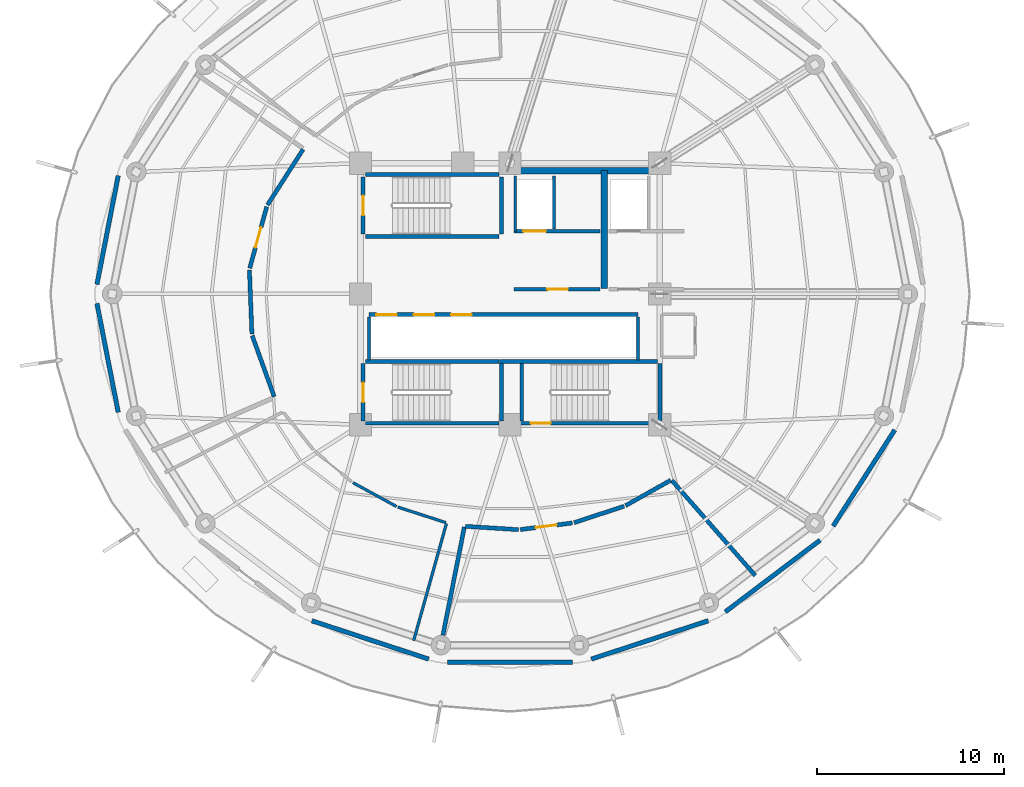
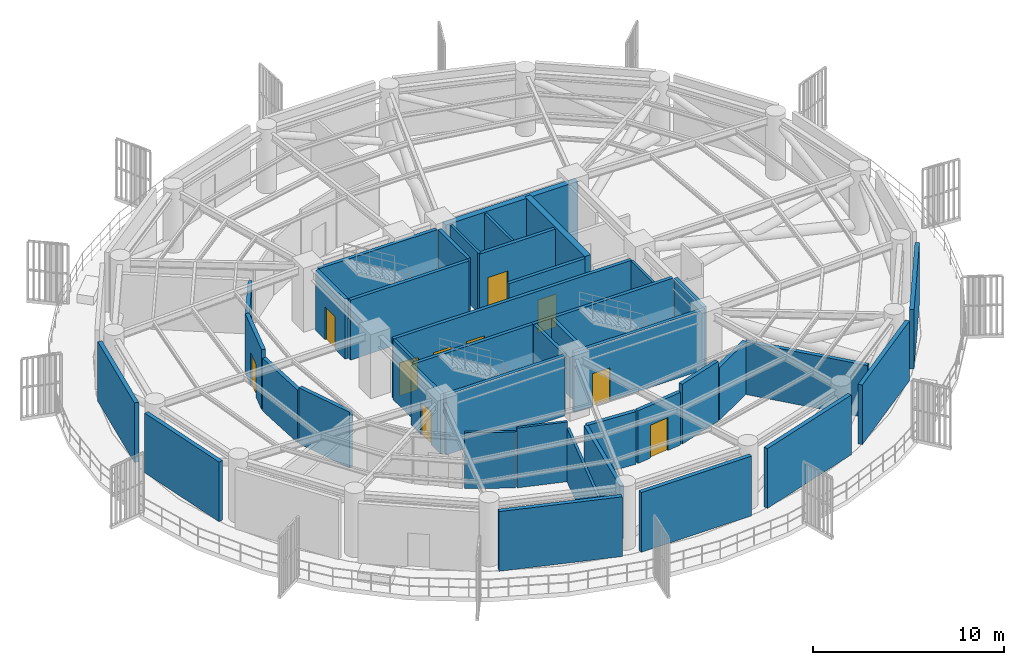
# One storey, part 4 of 10: 41 walls, 10 doors, 10 openings.
"""IFC4 building model written with IfcOpenShell, lengths in metres."""

from ifc_helpers import new_model, si_unit, direction, frame, frame_2d, origin, place, context, subcontext, project, spatial, rectangle, extrude, material, layer, layer_set, type_object, element, fill, save


model = new_model("IFC4")

# Units and contexts
model_context = context("Model", 3, precision=1e-05, world=origin(), true_north=direction((0.0, 1.0)))
body_context = subcontext(model_context, "Body", "Model", "MODEL_VIEW")
ifc_project = project(units=[si_unit("LENGTHUNIT", "METRE"), si_unit("AREAUNIT", "SQUARE_METRE"), si_unit("VOLUMEUNIT", "CUBIC_METRE"), si_unit("PLANEANGLEUNIT", "RADIAN"), si_unit("MASSUNIT", "GRAM", prefix="KILO")], contexts=[model_context])

# Site, building, storey
site_placement = place(None, origin())
site = spatial("IfcSite", under=ifc_project, at=site_placement, CompositionType="ELEMENT")
building_placement = place(site_placement, origin())
building = spatial("IfcBuilding", under=site, at=building_placement, Name="Kelanora Arch Commons", CompositionType="ELEMENT")
storey_placement = place(building_placement, frame((0.0, 0.0, 189.110107421875)))
storey = spatial("IfcBuildingStorey", under=building, at=storey_placement, Name="L48", CompositionType="ELEMENT", Elevation=189.110107421875)

# Walls
ifc_material_1 = material(Name="Autoclaved aerated concrete blockwork with fire plaster", Category="masonry")
ifc_layer_1 = layer(ifc_material_1, 0.14990234375)
ifc_layer_set_1 = layer_set([ifc_layer_1], Name="Autoclaved aerated concrete blockwork with fire plaster")
wall_type_1 = type_object("IfcWallType", Name="W-COMP-150", PredefinedType="PARTITIONING", material=ifc_layer_set_1)
wall_1_placement = place(storey_placement, frame((74.280029296875, 61.35009765625, 0.0), z_axis=(0.0, 0.0, 1.0), x_axis=(0.0, 1.0, 0.0)))
element("IfcWall", 1, at=wall_1_placement, inside=storey, type_object=wall_type_1, Name="Firefighting Lift 1 West Shaft Wall L48", PredefinedType="PARTITIONING", context=body_context, shape_type="SweptSolid", body=[
    extrude(rectangle(XDim=2.969970703125, YDim=0.14990234375, at=frame_2d((1.48486328125, 0.0))), origin(), (0.0, 0.0, 1.0), 3.81982421875),
])
wall_2_placement = place(storey_placement, frame((76.360107421875, 61.47998046875, 0.0), z_axis=(0.0, 0.0, 1.0), x_axis=(0.0, 1.0, 0.0)))
element("IfcWall", 2, at=wall_2_placement, inside=storey, type_object=wall_type_1, Name="Firefighting Lift 1 East Shaft Wall L48", PredefinedType="PARTITIONING", context=body_context, shape_type="SweptSolid", body=[
    extrude(rectangle(XDim=2.840087890625, YDim=0.14990234375, at=frame_2d((1.419921875, 0.0))), origin(), (0.0, 0.0, 1.0), 3.81982421875),
])
for number, where, z_axis, x_axis, name in (
    (3, (66.4599609375, 54.47998046875, 0.0), (0.0, 0.0, 1.0), (0.0, 1.0, 0.0), "South Lift Bank West Wall L48"),
    (4, (80.840087890625, 54.47998046875, 0.0), (0.0, 0.0, 1.0), (0.0, 1.0, 0.0), "South Lift Bank East Wall L48"),
):
    element("IfcWall", number, at=place(storey_placement, frame(where, z_axis=z_axis, x_axis=x_axis)), inside=storey, type_object=wall_type_1, Name=name, PredefinedType="PARTITIONING", context=body_context, shape_type="SweptSolid", body=[
        extrude(rectangle(XDim=2.2900390625, YDim=0.14990234375, at=frame_2d((1.14501953125, 0.0))), origin(), (0.0, 0.0, 1.0), 3.81982421875),
    ])
wall_3_placement = place(storey_placement, frame((65.59814453125, 47.90185546875, 0.0), z_axis=(0.0, 0.0, 1.0), x_axis=(0.877526475728, -0.479528189366, 0.0)))
element("IfcWall", 5, at=wall_3_placement, inside=storey, type_object=wall_type_1, Name="Domestic Booster Pump and Electrical Switchroom L48 Enclosure Partition 3", PredefinedType="PARTITIONING", context=body_context, shape_type="SweptSolid", body=[
    extrude(rectangle(XDim=2.656005859375, YDim=0.14990234375, at=frame_2d((1.328125, 0.0))), origin(), (0.0, 0.0, 1.0), 3.574951171875),
])
wall_4_placement = place(storey_placement, frame((68.002197265625, 46.5966796875, 0.0), z_axis=(0.0, 0.0, 1.0), x_axis=(0.951591716266, -0.307364938686, 0.0)))
element("IfcWall", 6, at=wall_4_placement, inside=storey, type_object=wall_type_1, Name="Domestic Booster Pump and Electrical Switchroom L48 Enclosure Partition 4", PredefinedType="PARTITIONING", context=body_context, shape_type="SweptSolid", body=[
    extrude(rectangle(XDim=2.6982421875, YDim=0.14990234375, at=frame_2d((1.34912109375, 0.0))), origin(), (0.0, 0.0, 1.0), 3.81982421875),
])
wall_5_placement = place(storey_placement, frame((70.59716796875, 45.716552734375, 0.0), z_axis=(0.0, 0.0, 1.0), x_axis=(-0.26947805334, -0.96300653101, 0.0)))
element("IfcWall", 7, at=wall_5_placement, inside=storey, type_object=wall_type_1, Name="Domestic Booster Pump and Electrical Switchroom L48 Enclosure Partition 5", PredefinedType="PARTITIONING", context=body_context, shape_type="SweptSolid", body=[
    extrude(rectangle(XDim=6.49951171875, YDim=0.14990234375, at=frame_2d((3.249755859375, 0.0))), origin(), (0.0, 0.0, 1.0), 3.414794921875),
])
ifc_material_2 = material(Name="Concrete C50/60", Category="concrete")
ifc_layer_2 = layer(ifc_material_2, 0.35009765625)
ifc_layer_set_2 = layer_set([ifc_layer_2], Name="Concrete C50/60")
wall_type_2 = type_object("IfcWallType", Name="W-CORE-350", PredefinedType="SHEAR", material=ifc_layer_set_2)
wall_6_placement = place(storey_placement, frame((74.0, 64.60009765625, 0.0), z_axis=(0.0, 0.0, 1.0), x_axis=(1.0, 0.0, 0.0)))
element("IfcWall", 8, at=wall_6_placement, inside=storey, type_object=wall_type_2, Name="Core Shear Spine L48-CN-E", PredefinedType="SHEAR", context=body_context, shape_type="SweptSolid", body=[
    extrude(rectangle(XDim=8.0, YDim=0.35009765625, at=frame_2d((4.0, 0.0))), origin(), (0.0, 0.0, 1.0), 3.829833984375),
])
wall_7_placement = place(storey_placement, frame((79.050048828125, 58.300048828125, 0.0), z_axis=(0.0, 0.0, 1.0), x_axis=(0.0, 1.0, 0.0)))
element("IfcWall", 9, at=wall_7_placement, inside=storey, type_object=wall_type_2, Name="Core Shear Spine L48-CE-N", PredefinedType="SHEAR", context=body_context, shape_type="SweptSolid", body=[
    extrude(rectangle(XDim=6.300048828125, YDim=0.35009765625, at=frame_2d((3.14990234375, 0.0))), origin(), (0.0, 0.0, 1.0), 3.829833984375),
])
ifc_material_3 = material(Name="Precast concrete C40/50 upper-zone terracotta rainscreen", Category="masonry")
ifc_layer_3 = layer(ifc_material_3, 0.239990234375)
ifc_layer_set_3 = layer_set([ifc_layer_3], Name="Precast concrete C40/50 upper-zone terracotta rainscreen")
wall_type_3 = type_object("IfcWallType", Name="W-EXT-TC2", PredefinedType="SOLIDWALL", material=ifc_layer_set_3)
for number, where, z_axis, x_axis, name in (
    (10, (53.038818359375, 64.330078125, 0.0), (0.0, 0.0, 1.0), (-0.192052981254, -0.981384558871, 0.0), "Mechanical Louvre Precast Backing Wall L48-09"),
    (11, (51.89990234375, 57.48974609375, 0.0), (0.0, 0.0, 1.0), (0.192052981254, -0.981384558871, 0.0), "Mechanical Louvre Precast Backing Wall L48-10"),
):
    element("IfcWall", number, at=place(storey_placement, frame(where, z_axis=z_axis, x_axis=x_axis)), inside=storey, type_object=wall_type_3, Name=name, PredefinedType="SOLIDWALL", context=body_context, shape_type="SweptSolid", body=[
        extrude(rectangle(XDim=5.93017578125, YDim=0.239990234375, at=frame_2d((2.965087890625, 0.0))), origin(), (0.0, 0.0, 1.0), 3.81494140625),
    ])
wall_8_placement = place(storey_placement, frame((63.39404296875, 40.517578125, 0.0), z_axis=(0.0, 0.0, 1.0), x_axis=(0.950214424667, -0.31159677013, 0.0)))
element("IfcWall", 12, at=wall_8_placement, inside=storey, type_object=wall_type_3, Name="Mechanical Louvre Precast Backing Wall L48-13", PredefinedType="SOLIDWALL", context=body_context, shape_type="SweptSolid", body=[
    extrude(rectangle(XDim=6.584716796875, YDim=0.239990234375, at=frame_2d((3.29248046875, 0.0))), origin(), (0.0, 0.0, 1.0), 3.81494140625),
])
wall_9_placement = place(storey_placement, frame((70.6650390625, 38.3037109375, 0.0), z_axis=(0.0, 0.0, 1.0), x_axis=(1.0, 0.0, 0.0)))
element("IfcWall", 13, at=wall_9_placement, inside=storey, type_object=wall_type_3, Name="Mechanical Louvre Precast Backing Wall L48-14", PredefinedType="SOLIDWALL", context=body_context, shape_type="SweptSolid", body=[
    extrude(rectangle(XDim=6.669921875, YDim=0.239990234375, at=frame_2d((3.3349609375, 0.0))), origin(), (0.0, 0.0, 1.0), 3.81494140625),
])
wall_10_placement = place(storey_placement, frame((78.34912109375, 38.4658203125, 0.0), z_axis=(0.0, 0.0, 1.0), x_axis=(0.950214424667, 0.31159677013, 0.0)))
element("IfcWall", 14, at=wall_10_placement, inside=storey, type_object=wall_type_3, Name="Mechanical Louvre Precast Backing Wall L48-15", PredefinedType="SOLIDWALL", context=body_context, shape_type="SweptSolid", body=[
    extrude(rectangle(XDim=6.584716796875, YDim=0.239990234375, at=frame_2d((3.29248046875, 0.0))), origin(), (0.0, 0.0, 1.0), 3.81494140625),
])
wall_11_placement = place(storey_placement, frame((85.514892578125, 40.9931640625, 0.0), z_axis=(0.0, 0.0, 1.0), x_axis=(0.797724599481, 0.603021942704, 0.0)))
element("IfcWall", 15, at=wall_11_placement, inside=storey, type_object=wall_type_3, Name="Mechanical Louvre Precast Backing Wall L48-16", PredefinedType="SOLIDWALL", context=body_context, shape_type="SweptSolid", body=[
    extrude(rectangle(XDim=6.363525390625, YDim=0.239990234375, at=frame_2d((3.181640625, 0.0))), origin(), (0.0, 0.0, 1.0), 3.81494140625),
])
wall_12_placement = place(storey_placement, frame((91.286865234375, 45.58203125, 0.0), z_axis=(0.0, 0.0, 1.0), x_axis=(0.539556360139, 0.841949484371, 0.0)))
element("IfcWall", 16, at=wall_12_placement, inside=storey, type_object=wall_type_3, Name="Mechanical Louvre Precast Backing Wall L48-17", PredefinedType="SOLIDWALL", context=body_context, shape_type="SweptSolid", body=[
    extrude(rectangle(XDim=6.1044921875, YDim=0.239990234375, at=frame_2d((3.05224609375, 0.0))), origin(), (0.0, 0.0, 1.0), 3.81494140625),
])

# Wall, opening, door
ifc_material_4 = material(Name="Concrete C40/50", Category="concrete")
ifc_layer_4 = layer(ifc_material_4, 0.199951171875)
ifc_layer_set_4 = layer_set([ifc_layer_4], Name="Concrete C40/50")
wall_type_4 = type_object("IfcWallType", Name="W-FFL-200", PredefinedType="SOLIDWALL", material=ifc_layer_set_4)
wall_13_placement = place(storey_placement, frame((74.199951171875, 61.35009765625, 0.0), z_axis=(0.0, 0.0, 1.0), x_axis=(1.0, 0.0, 0.0)))
wall_13 = element("IfcWall", 17, at=wall_13_placement, inside=storey, type_object=wall_type_4, Name="Firefighting Lift 1 Shaft Front L48", PredefinedType="SOLIDWALL", context=body_context, shape_type="SweptSolid", body=[
    extrude(rectangle(XDim=4.60009765625, YDim=0.199951171875, at=frame_2d((2.300048828125, 0.0))), origin(), (0.0, 0.0, 1.0), 3.81982421875),
])
opening_1_placement = place(wall_13_placement, frame((0.52001953125, 0.0, 0.0)))
opening_1 = element("IfcOpeningElement", 18, at=opening_1_placement, cuts=wall_13, Name="Opening LD-FF", PredefinedType="OPENING", context=body_context, shape_type="SweptSolid", body=[
    extrude(rectangle(XDim=1.199951171875, YDim=2.14990234375, at=frame_2d((0.60009765625, 1.074951171875))), frame((0.0, 0.10986328125, 0.0), z_axis=(0.0, -1.0, 0.0), x_axis=(1.0, 0.0, 0.0)), (0.0, 0.0, 1.0), 0.219970703125),
])
ifc_material_5 = material(Name="Fire-rated firefighters lift sliding landing door")
door_type_1 = type_object("IfcDoorType", Name="D-LIFT-FF", OperationType="NOTDEFINED", PredefinedType="DOOR", material=ifc_material_5)
door_1_placement = place(opening_1_placement, origin())
door_1 = element("IfcDoor", 19, at=door_1_placement, inside=storey, type_object=door_type_1, Name="Firefighting Lift LF-FF1 Landing Door L48", OperationType="DOUBLE_DOOR_SLIDING", OverallHeight=2.14990234375, OverallWidth=1.199951171875, PredefinedType="DOOR", context=body_context, shape_type="SweptSolid", body=[
    extrude(rectangle(XDim=1.199951171875, YDim=2.14990234375, at=frame_2d((0.60009765625, 1.074951171875))), frame((0.0, 0.02490234375, 0.0), z_axis=(0.0, -1.0, 0.0), x_axis=(1.0, 0.0, 0.0)), (0.0, 0.0, 1.0), 0.050048828125),
])
fill(opening_1, door_1)

wall_14_placement = place(storey_placement, frame((74.199951171875, 58.25, 0.0), z_axis=(0.0, 0.0, 1.0), x_axis=(1.0, 0.0, 0.0)))
wall_14 = element("IfcWall", 20, at=wall_14_placement, inside=storey, type_object=wall_type_4, Name="Firefighting Lobby 1 Enclosure Wall L48", PredefinedType="SOLIDWALL", context=body_context, shape_type="SweptSolid", body=[
    extrude(rectangle(XDim=4.60009765625, YDim=0.199951171875, at=frame_2d((2.300048828125, 0.0))), origin(), (0.0, 0.0, 1.0), 3.81982421875),
])
opening_2_placement = place(wall_14_placement, frame((1.800048828125, 0.0, 0.0)))
opening_2 = element("IfcOpeningElement", 21, at=opening_2_placement, cuts=wall_14, Name="Opening D-FFL1", PredefinedType="OPENING", context=body_context, shape_type="SweptSolid", body=[
    extrude(rectangle(XDim=1.10009765625, YDim=2.10009765625, at=frame_2d((0.550048828125, 1.050048828125))), frame((0.0, 0.10986328125, 0.0), z_axis=(0.0, -1.0, 0.0), x_axis=(1.0, 0.0, 0.0)), (0.0, 0.0, 1.0), 0.219970703125),
])
ifc_material_6 = material(Name="Smoke-sealed firefighting lobby fire door")
door_type_2 = type_object("IfcDoorType", Name="D-FFL-110", OperationType="NOTDEFINED", PredefinedType="DOOR", material=ifc_material_6)
door_2_placement = place(opening_2_placement, frame((1.10009765625, 0.0, 0.0), z_axis=(0.0, 0.0, 1.0), x_axis=(-1.0, 0.0, 0.0)))
door_2 = element("IfcDoor", 22, at=door_2_placement, inside=storey, type_object=door_type_2, Name="Firefighting Lobby 1 Door L48", OperationType="SINGLE_SWING_LEFT", OverallHeight=2.10009765625, OverallWidth=1.10009765625, PredefinedType="DOOR", context=body_context, shape_type="SweptSolid", body=[
    extrude(rectangle(XDim=1.10009765625, YDim=2.10009765625, at=frame_2d((0.550048828125, 1.050048828125))), frame((0.0, 0.02490234375, 0.0), z_axis=(0.0, -1.0, 0.0), x_axis=(1.0, 0.0, 0.0)), (0.0, 0.0, 1.0), 0.050048828125),
])
fill(opening_2, door_2)

# Wall, openings, doors
wall_15_placement = place(storey_placement, frame((66.449951171875, 56.89990234375, 0.0), z_axis=(0.0, 0.0, 1.0), x_axis=(1.0, 0.0, 0.0)))
wall_15 = element("IfcWall", 23, at=wall_15_placement, inside=storey, type_object=wall_type_4, Name="Mid/High/Express Lift Shaft Front L48", PredefinedType="SOLIDWALL", context=body_context, shape_type="SweptSolid", body=[
    extrude(rectangle(XDim=14.400146484375, YDim=0.199951171875, at=frame_2d((7.2001953125, 0.0))), origin(), (0.0, 0.0, 1.0), 3.81982421875),
])
opening_3_placement = place(wall_15_placement, frame((0.39990234375, 0.0, 0.0)))
opening_3 = element("IfcOpeningElement", 24, at=opening_3_placement, cuts=wall_15, Name="Opening LD-01", PredefinedType="OPENING", context=body_context, shape_type="SweptSolid", body=[
    extrude(rectangle(XDim=1.10009765625, YDim=2.10009765625, at=frame_2d((0.550048828125, 1.050048828125))), frame((0.0, 0.10986328125, 0.0), z_axis=(0.0, -1.0, 0.0), x_axis=(1.0, 0.0, 0.0)), (0.0, 0.0, 1.0), 0.219970703125),
])
opening_4_placement = place(wall_15_placement, frame((2.39990234375, 0.0, 0.0)))
opening_4 = element("IfcOpeningElement", 25, at=opening_4_placement, cuts=wall_15, Name="Opening LD-01", PredefinedType="OPENING", context=body_context, shape_type="SweptSolid", body=[
    extrude(rectangle(XDim=1.10009765625, YDim=2.10009765625, at=frame_2d((0.550048828125, 1.050048828125))), frame((0.0, 0.10986328125, 0.0), z_axis=(0.0, -1.0, 0.0), x_axis=(1.0, 0.0, 0.0)), (0.0, 0.0, 1.0), 0.219970703125),
])
opening_5_placement = place(wall_15_placement, frame((4.39990234375, 0.0, 0.0)))
opening_5 = element("IfcOpeningElement", 26, at=opening_5_placement, cuts=wall_15, Name="Opening LD-01", PredefinedType="OPENING", context=body_context, shape_type="SweptSolid", body=[
    extrude(rectangle(XDim=1.10009765625, YDim=2.10009765625, at=frame_2d((0.550048828125, 1.050048828125))), frame((0.0, 0.10986328125, 0.0), z_axis=(0.0, -1.0, 0.0), x_axis=(1.0, 0.0, 0.0)), (0.0, 0.0, 1.0), 0.219970703125),
])
ifc_material_7 = material(Name="Stainless steel passenger lift sliding landing door", Category="steel")
door_type_3 = type_object("IfcDoorType", Name="D-LIFT-110", OperationType="NOTDEFINED", PredefinedType="DOOR", material=ifc_material_7)
door_3_placement = place(opening_3_placement, origin())
door_3 = element("IfcDoor", 27, at=door_3_placement, inside=storey, type_object=door_type_3, Name="Passenger Lift LF-P4 Landing Door L48", OperationType="DOUBLE_DOOR_SLIDING", OverallHeight=2.10009765625, OverallWidth=1.10009765625, PredefinedType="DOOR", context=body_context, shape_type="SweptSolid", body=[
    extrude(rectangle(XDim=1.10009765625, YDim=2.10009765625, at=frame_2d((0.550048828125, 1.050048828125))), frame((0.0, 0.02490234375, 0.0), z_axis=(0.0, -1.0, 0.0), x_axis=(1.0, 0.0, 0.0)), (0.0, 0.0, 1.0), 0.050048828125),
])
fill(opening_3, door_3)
door_4_placement = place(opening_4_placement, origin())
door_4 = element("IfcDoor", 28, at=door_4_placement, inside=storey, type_object=door_type_3, Name="Passenger Lift LF-P5 Landing Door L48", OperationType="DOUBLE_DOOR_SLIDING", OverallHeight=2.10009765625, OverallWidth=1.10009765625, PredefinedType="DOOR", context=body_context, shape_type="SweptSolid", body=[
    extrude(rectangle(XDim=1.10009765625, YDim=2.10009765625, at=frame_2d((0.550048828125, 1.050048828125))), frame((0.0, 0.02490234375, 0.0), z_axis=(0.0, -1.0, 0.0), x_axis=(1.0, 0.0, 0.0)), (0.0, 0.0, 1.0), 0.050048828125),
])
fill(opening_4, door_4)
door_5_placement = place(opening_5_placement, origin())
door_5 = element("IfcDoor", 29, at=door_5_placement, inside=storey, type_object=door_type_3, Name="Passenger Lift LF-P6 Landing Door L48", OperationType="DOUBLE_DOOR_SLIDING", OverallHeight=2.10009765625, OverallWidth=1.10009765625, PredefinedType="DOOR", context=body_context, shape_type="SweptSolid", body=[
    extrude(rectangle(XDim=1.10009765625, YDim=2.10009765625, at=frame_2d((0.550048828125, 1.050048828125))), frame((0.0, 0.02490234375, 0.0), z_axis=(0.0, -1.0, 0.0), x_axis=(1.0, 0.0, 0.0)), (0.0, 0.0, 1.0), 0.050048828125),
])
fill(opening_5, door_5)

# Wall, opening, door
ifc_layer_5 = layer(ifc_material_4, 0.219970703125)
ifc_layer_set_5 = layer_set([ifc_layer_5], Name="Concrete C40/50")
wall_type_5 = type_object("IfcWallType", Name="W-REF-200", PredefinedType="SOLIDWALL", material=ifc_layer_set_5)
wall_16_placement = place(storey_placement, frame((60.985107421875, 62.670166015625, 0.0), z_axis=(0.0, 0.0, 1.0), x_axis=(-0.266899498811, -0.96372436803, 0.0)))
wall_16 = element("IfcWall", 30, at=wall_16_placement, inside=storey, type_object=wall_type_5, Name="Protected Fire Refuge Holding Area L48-West Entry Partition", PredefinedType="SOLIDWALL", context=body_context, shape_type="SweptSolid", body=[
    extrude(rectangle(XDim=3.41748046875, YDim=0.219970703125, at=frame_2d((1.708740234375, 0.0))), origin(), (0.0, 0.0, 1.0), 3.81982421875),
])
opening_6_placement = place(wall_16_placement, frame((1.14892578125, 0.0, 0.0)))
opening_6 = element("IfcOpeningElement", 31, at=opening_6_placement, cuts=wall_16, Name="Opening D-REF1", PredefinedType="OPENING", context=body_context, shape_type="SweptSolid", body=[
    extrude(rectangle(XDim=1.1201171875, YDim=2.10009765625, at=frame_2d((0.56005859375, 1.050048828125))), frame((0.0, 0.1201171875, 0.0), z_axis=(0.0, -1.0, 0.0), x_axis=(1.0, 0.0, 0.0)), (0.0, 0.0, 1.0), 0.239990234375),
])
ifc_material_8 = material(Name="Two-hour fire refuge holding room door")
door_type_4 = type_object("IfcDoorType", Name="D-REF-110", OperationType="NOTDEFINED", PredefinedType="DOOR", material=ifc_material_8)
door_6_placement = place(opening_6_placement, origin())
door_6 = element("IfcDoor", 32, at=door_6_placement, inside=storey, type_object=door_type_4, Name="Protected Fire Refuge Holding Area L48-West Door", OperationType="SINGLE_SWING_LEFT", OverallHeight=2.10009765625, OverallWidth=1.1201171875, PredefinedType="DOOR", context=body_context, shape_type="SweptSolid", body=[
    extrude(rectangle(XDim=1.1201171875, YDim=2.10009765625, at=frame_2d((0.56005859375, 1.050048828125))), frame((0.0, 0.02490234375, 0.0), z_axis=(0.0, -1.0, 0.0), x_axis=(1.0, 0.0, 0.0)), (0.0, 0.0, 1.0), 0.050048828125),
])
fill(opening_6, door_6)

wall_17_placement = place(storey_placement, frame((74.548583984375, 45.3955078125, 0.0), z_axis=(0.0, 0.0, 1.0), x_axis=(0.992098832507, 0.125458784221, 0.0)))
wall_17 = element("IfcWall", 33, at=wall_17_placement, inside=storey, type_object=wall_type_5, Name="Protected Fire Refuge Holding Area L48-South Entry Partition", PredefinedType="SOLIDWALL", context=body_context, shape_type="SweptSolid", body=[
    extrude(rectangle(XDim=2.80615234375, YDim=0.219970703125, at=frame_2d((1.403076171875, 0.0))), origin(), (0.0, 0.0, 1.0), 3.364990234375),
])
opening_7_placement = place(wall_17_placement, frame((0.843017578125, 0.0, 0.0)))
opening_7 = element("IfcOpeningElement", 34, at=opening_7_placement, cuts=wall_17, Name="Opening D-REF1", PredefinedType="OPENING", context=body_context, shape_type="SweptSolid", body=[
    extrude(rectangle(XDim=1.1201171875, YDim=2.10009765625, at=frame_2d((0.56005859375, 1.050048828125))), frame((0.0, 0.1201171875, 0.0), z_axis=(0.0, -1.0, 0.0), x_axis=(1.0, 0.0, 0.0)), (0.0, 0.0, 1.0), 0.239990234375),
])
door_7_placement = place(opening_7_placement, origin())
door_7 = element("IfcDoor", 35, at=door_7_placement, inside=storey, type_object=door_type_4, Name="Protected Fire Refuge Holding Area L48-South Door", OperationType="SINGLE_SWING_LEFT", OverallHeight=2.10009765625, OverallWidth=1.1201171875, PredefinedType="DOOR", context=body_context, shape_type="SweptSolid", body=[
    extrude(rectangle(XDim=1.1201171875, YDim=2.10009765625, at=frame_2d((0.56005859375, 1.050048828125))), frame((0.0, 0.02490234375, 0.0), z_axis=(0.0, -1.0, 0.0), x_axis=(1.0, 0.0, 0.0)), (0.0, 0.0, 1.0), 0.050048828125),
])
fill(opening_7, door_7)

# Walls
wall_18_placement = place(storey_placement, frame((62.930419921875, 65.736328125, 0.0), z_axis=(0.0, 0.0, 1.0), x_axis=(-0.539849412271, -0.841761612376, 0.0)))
element("IfcWall", 36, at=wall_18_placement, inside=storey, type_object=wall_type_5, Name="Protected Fire Refuge Holding Area L48-West Enclosure Partition 1", PredefinedType="SOLIDWALL", context=body_context, shape_type="SweptSolid", body=[
    extrude(rectangle(XDim=3.53369140625, YDim=0.219970703125, at=frame_2d((1.766845703125, 0.0))), origin(), (0.0, 0.0, 1.0), 3.364990234375),
])
wall_19_placement = place(storey_placement, frame((60.05859375, 59.279052734375, 0.0), z_axis=(0.0, 0.0, 1.0), x_axis=(0.038692620907, -0.999251160163, 0.0)))
element("IfcWall", 37, at=wall_19_placement, inside=storey, type_object=wall_type_5, Name="Protected Fire Refuge Holding Area L48-West Enclosure Partition 3", PredefinedType="SOLIDWALL", context=body_context, shape_type="SweptSolid", body=[
    extrude(rectangle(XDim=3.4326171875, YDim=0.219970703125, at=frame_2d((1.71630859375, 0.0))), origin(), (0.0, 0.0, 1.0), 3.364990234375),
])
wall_20_placement = place(storey_placement, frame((60.20654296875, 55.771484375, 0.0), z_axis=(0.0, 0.0, 1.0), x_axis=(0.339545974416, -0.940589459466, 0.0)))
element("IfcWall", 38, at=wall_20_placement, inside=storey, type_object=wall_type_5, Name="Protected Fire Refuge Holding Area L48-West Enclosure Partition 4", PredefinedType="SOLIDWALL", context=body_context, shape_type="SweptSolid", body=[
    extrude(rectangle(XDim=3.47216796875, YDim=0.219970703125, at=frame_2d((1.736083984375, 0.0))), origin(), (0.0, 0.0, 1.0), 3.574951171875),
])
wall_21_placement = place(storey_placement, frame((71.60498046875, 45.569580078125, 0.0), z_axis=(0.0, 0.0, 1.0), x_axis=(0.998021119096, -0.062879613855, 0.0)))
element("IfcWall", 39, at=wall_21_placement, inside=storey, type_object=wall_type_5, Name="Protected Fire Refuge Holding Area L48-South Enclosure Partition 1", PredefinedType="SOLIDWALL", context=body_context, shape_type="SweptSolid", body=[
    extrude(rectangle(XDim=2.849853515625, YDim=0.219970703125, at=frame_2d((1.4248046875, 0.0))), origin(), (0.0, 0.0, 1.0), 3.364990234375),
])
wall_22_placement = place(storey_placement, frame((77.429931640625, 45.767578125, 0.0), z_axis=(0.0, 0.0, 1.0), x_axis=(0.950342166159, 0.311206952397, 0.0)))
element("IfcWall", 40, at=wall_22_placement, inside=storey, type_object=wall_type_5, Name="Protected Fire Refuge Holding Area L48-South Enclosure Partition 3", PredefinedType="SOLIDWALL", context=body_context, shape_type="SweptSolid", body=[
    extrude(rectangle(XDim=2.81787109375, YDim=0.219970703125, at=frame_2d((1.408935546875, 0.0))), origin(), (0.0, 0.0, 1.0), 3.81982421875),
])
wall_23_placement = place(storey_placement, frame((80.180908203125, 46.676513671875, 0.0), z_axis=(0.0, 0.0, 1.0), x_axis=(0.87161551792, 0.49019015588, 0.0)))
element("IfcWall", 41, at=wall_23_placement, inside=storey, type_object=wall_type_5, Name="Protected Fire Refuge Holding Area L48-South Enclosure Partition 4", PredefinedType="SOLIDWALL", context=body_context, shape_type="SweptSolid", body=[
    extrude(rectangle(XDim=2.772216796875, YDim=0.219970703125, at=frame_2d((1.38623046875, 0.0))), origin(), (0.0, 0.0, 1.0), 3.364990234375),
])
wall_24_placement = place(storey_placement, frame((82.658447265625, 48.02490234375, 0.0), z_axis=(0.0, 0.0, 1.0), x_axis=(0.659350124836, -0.75183602792, 0.0)))
element("IfcWall", 42, at=wall_24_placement, inside=storey, type_object=wall_type_5, Name="Protected Fire Refuge Holding Area L48-South Enclosure Partition 5", PredefinedType="SOLIDWALL", context=body_context, shape_type="SweptSolid", body=[
    extrude(rectangle(XDim=6.76318359375, YDim=0.219970703125, at=frame_2d((3.381591796875, 0.0))), origin(), (0.0, 0.0, 1.0), 3.364990234375),
])
wall_25_placement = place(storey_placement, frame((70.413330078125, 39.7490234375, 0.0), z_axis=(0.0, 0.0, 1.0), x_axis=(0.194005368902, 0.981000467297, 0.0)))
element("IfcWall", 43, at=wall_25_placement, inside=storey, type_object=wall_type_5, Name="Protected Fire Refuge Holding Area L48-South Enclosure Partition 10", PredefinedType="SOLIDWALL", context=body_context, shape_type="SweptSolid", body=[
    extrude(rectangle(XDim=5.895751953125, YDim=0.219970703125, at=frame_2d((2.94775390625, 0.0))), origin(), (0.0, 0.0, 1.0), 3.364990234375),
])
ifc_layer_6 = layer(ifc_material_4, 0.199951171875)
ifc_layer_set_6 = layer_set([ifc_layer_6], Name="Concrete C40/50")
wall_type_6 = type_object("IfcWallType", Name="W-STAIR-200", PredefinedType="SHEAR", material=ifc_layer_set_6)
wall_26_placement = place(storey_placement, frame((66.260009765625, 61.080078125, 0.0), z_axis=(0.0, 0.0, 1.0), x_axis=(1.0, 0.0, 0.0)))
element("IfcWall", 44, at=wall_26_placement, inside=storey, type_object=wall_type_6, Name="Stair ST-T1 Shaft Wall S L48", PredefinedType="SHEAR", context=body_context, shape_type="SweptSolid", body=[
    extrude(rectangle(XDim=7.159912109375, YDim=0.199951171875, at=frame_2d((3.580078125, 0.0))), origin(), (0.0, 0.0, 1.0), 3.829833984375),
])
wall_27_placement = place(storey_placement, frame((73.5400390625, 61.199951171875, 0.0), z_axis=(0.0, 0.0, 1.0), x_axis=(0.0, 1.0, 0.0)))
element("IfcWall", 45, at=wall_27_placement, inside=storey, type_object=wall_type_6, Name="Stair ST-T1 Shaft Wall E L48", PredefinedType="SHEAR", context=body_context, shape_type="SweptSolid", body=[
    extrude(rectangle(XDim=3.070068359375, YDim=0.199951171875, at=frame_2d((1.53515625, 0.0))), origin(), (0.0, 0.0, 1.0), 3.829833984375),
])
wall_28_placement = place(storey_placement, frame((73.419921875, 64.389892578125, 0.0), z_axis=(0.0, 0.0, 1.0), x_axis=(-1.0, 0.0, 0.0)))
element("IfcWall", 46, at=wall_28_placement, inside=storey, type_object=wall_type_6, Name="Stair ST-T1 Shaft Wall N L48", PredefinedType="SHEAR", context=body_context, shape_type="SweptSolid", body=[
    extrude(rectangle(XDim=7.159912109375, YDim=0.199951171875, at=frame_2d((3.580078125, 0.0))), origin(), (0.0, 0.0, 1.0), 3.829833984375),
])

# Wall, opening, door
wall_29_placement = place(storey_placement, frame((66.139892578125, 64.27001953125, 0.0), z_axis=(0.0, 0.0, 1.0), x_axis=(0.0, -1.0, 0.0)))
wall_29 = element("IfcWall", 47, at=wall_29_placement, inside=storey, type_object=wall_type_6, Name="Stair ST-T1 Shaft Wall W L48", PredefinedType="SHEAR", context=body_context, shape_type="SweptSolid", body=[
    extrude(rectangle(XDim=3.070068359375, YDim=0.199951171875, at=frame_2d((1.53515625, 0.0))), origin(), (0.0, 0.0, 1.0), 3.829833984375),
])
opening_8_placement = place(wall_29_placement, frame((1.010009765625, 0.0, 0.0)))
opening_8 = element("IfcOpeningElement", 48, at=opening_8_placement, cuts=wall_29, Name="Opening D-ST1", PredefinedType="OPENING", context=body_context, shape_type="SweptSolid", body=[
    extrude(rectangle(XDim=1.050048828125, YDim=2.10009765625, at=frame_2d((0.52490234375, 1.050048828125))), frame((0.0, 0.10986328125, 0.0), z_axis=(0.0, -1.0, 0.0), x_axis=(1.0, 0.0, 0.0)), (0.0, 0.0, 1.0), 0.219970703125),
])
ifc_material_9 = material(Name="Steel fire-rated stairwell escape door", Category="steel")
door_type_5 = type_object("IfcDoorType", Name="D-STAIR-110", OperationType="NOTDEFINED", PredefinedType="DOOR", material=ifc_material_9)
door_8_placement = place(opening_8_placement, origin())
door_8 = element("IfcDoor", 49, at=door_8_placement, inside=storey, type_object=door_type_5, Name="Stair ST-T1 Escape Door L48", OperationType="SINGLE_SWING_LEFT", OverallHeight=2.10009765625, OverallWidth=1.050048828125, PredefinedType="DOOR", context=body_context, shape_type="SweptSolid", body=[
    extrude(rectangle(XDim=1.050048828125, YDim=2.10009765625, at=frame_2d((0.52490234375, 1.050048828125))), frame((0.0, 0.02490234375, 0.0), z_axis=(0.0, -1.0, 0.0), x_axis=(1.0, 0.0, 0.0)), (0.0, 0.0, 1.0), 0.050048828125),
])
fill(opening_8, door_8)

wall_30_placement = place(storey_placement, frame((74.0, 51.080078125, 0.0), z_axis=(0.0, 0.0, 1.0), x_axis=(1.0, 0.0, 0.0)))
wall_30 = element("IfcWall", 50, at=wall_30_placement, inside=storey, type_object=wall_type_6, Name="Stair ST-T2 Shaft Wall S L48", PredefinedType="SHEAR", context=body_context, shape_type="SweptSolid", body=[
    extrude(rectangle(XDim=7.89990234375, YDim=0.199951171875, at=frame_2d((3.949951171875, 0.0))), origin(), (0.0, 0.0, 1.0), 3.829833984375),
])
opening_9_placement = place(wall_30_placement, frame((1.1201171875, 0.0, 0.0)))
opening_9 = element("IfcOpeningElement", 51, at=opening_9_placement, cuts=wall_30, Name="Opening D-ST1", PredefinedType="OPENING", context=body_context, shape_type="SweptSolid", body=[
    extrude(rectangle(XDim=1.050048828125, YDim=2.10009765625, at=frame_2d((0.52490234375, 1.050048828125))), frame((0.0, 0.10986328125, 0.0), z_axis=(0.0, -1.0, 0.0), x_axis=(1.0, 0.0, 0.0)), (0.0, 0.0, 1.0), 0.219970703125),
])
door_9_placement = place(opening_9_placement, origin())
door_9 = element("IfcDoor", 52, at=door_9_placement, inside=storey, type_object=door_type_5, Name="Stair ST-T2 Escape Door L48", OperationType="SINGLE_SWING_LEFT", OverallHeight=2.10009765625, OverallWidth=1.050048828125, PredefinedType="DOOR", context=body_context, shape_type="SweptSolid", body=[
    extrude(rectangle(XDim=1.050048828125, YDim=2.10009765625, at=frame_2d((0.52490234375, 1.050048828125))), frame((0.0, 0.02490234375, 0.0), z_axis=(0.0, -1.0, 0.0), x_axis=(1.0, 0.0, 0.0)), (0.0, 0.0, 1.0), 0.050048828125),
])
fill(opening_9, door_9)

# Walls
wall_31_placement = place(storey_placement, frame((82.02001953125, 51.199951171875, 0.0), z_axis=(0.0, 0.0, 1.0), x_axis=(0.0, 1.0, 0.0)))
element("IfcWall", 53, at=wall_31_placement, inside=storey, type_object=wall_type_6, Name="Stair ST-T2 Shaft Wall E L48", PredefinedType="SHEAR", context=body_context, shape_type="SweptSolid", body=[
    extrude(rectangle(XDim=3.070068359375, YDim=0.199951171875, at=frame_2d((1.53515625, 0.0))), origin(), (0.0, 0.0, 1.0), 3.829833984375),
])
wall_32_placement = place(storey_placement, frame((81.89990234375, 54.389892578125, 0.0), z_axis=(0.0, 0.0, 1.0), x_axis=(-1.0, 0.0, 0.0)))
element("IfcWall", 54, at=wall_32_placement, inside=storey, type_object=wall_type_6, Name="Stair ST-T2 Shaft Wall N L48", PredefinedType="SHEAR", context=body_context, shape_type="SweptSolid", body=[
    extrude(rectangle(XDim=8.4599609375, YDim=0.199951171875, at=frame_2d((4.22998046875, 0.0))), origin(), (0.0, 0.0, 1.0), 3.829833984375),
])
wall_33_placement = place(storey_placement, frame((74.6201171875, 54.27001953125, 0.0), z_axis=(0.0, 0.0, 1.0), x_axis=(0.0, -1.0, 0.0)))
element("IfcWall", 55, at=wall_33_placement, inside=storey, type_object=wall_type_6, Name="Stair ST-T2 Shaft Wall W L48", PredefinedType="SHEAR", context=body_context, shape_type="SweptSolid", body=[
    extrude(rectangle(XDim=3.070068359375, YDim=0.199951171875, at=frame_2d((1.53515625, 0.0))), origin(), (0.0, 0.0, 1.0), 3.829833984375),
])
wall_34_placement = place(storey_placement, frame((66.260009765625, 51.080078125, 0.0), z_axis=(0.0, 0.0, 1.0), x_axis=(1.0, 0.0, 0.0)))
element("IfcWall", 56, at=wall_34_placement, inside=storey, type_object=wall_type_6, Name="Stair ST-T3 Shaft Wall S L48", PredefinedType="SHEAR", context=body_context, shape_type="SweptSolid", body=[
    extrude(rectangle(XDim=7.159912109375, YDim=0.199951171875, at=frame_2d((3.580078125, 0.0))), origin(), (0.0, 0.0, 1.0), 3.829833984375),
])
wall_35_placement = place(storey_placement, frame((73.5400390625, 51.199951171875, 0.0), z_axis=(0.0, 0.0, 1.0), x_axis=(0.0, 1.0, 0.0)))
element("IfcWall", 57, at=wall_35_placement, inside=storey, type_object=wall_type_6, Name="Stair ST-T3 Shaft Wall E L48", PredefinedType="SHEAR", context=body_context, shape_type="SweptSolid", body=[
    extrude(rectangle(XDim=3.070068359375, YDim=0.199951171875, at=frame_2d((1.53515625, 0.0))), origin(), (0.0, 0.0, 1.0), 3.829833984375),
])
wall_36_placement = place(storey_placement, frame((73.419921875, 54.389892578125, 0.0), z_axis=(0.0, 0.0, 1.0), x_axis=(-1.0, 0.0, 0.0)))
element("IfcWall", 58, at=wall_36_placement, inside=storey, type_object=wall_type_6, Name="Stair ST-T3 Shaft Wall N L48", PredefinedType="SHEAR", context=body_context, shape_type="SweptSolid", body=[
    extrude(rectangle(XDim=7.159912109375, YDim=0.199951171875, at=frame_2d((3.580078125, 0.0))), origin(), (0.0, 0.0, 1.0), 3.829833984375),
])

# Wall, opening, door
wall_37_placement = place(storey_placement, frame((66.139892578125, 54.27001953125, 0.0), z_axis=(0.0, 0.0, 1.0), x_axis=(0.0, -1.0, 0.0)))
wall_37 = element("IfcWall", 59, at=wall_37_placement, inside=storey, type_object=wall_type_6, Name="Stair ST-T3 Shaft Wall W L48", PredefinedType="SHEAR", context=body_context, shape_type="SweptSolid", body=[
    extrude(rectangle(XDim=3.070068359375, YDim=0.199951171875, at=frame_2d((1.53515625, 0.0))), origin(), (0.0, 0.0, 1.0), 3.829833984375),
])
opening_10_placement = place(wall_37_placement, frame((1.010009765625, 0.0, 0.0)))
opening_10 = element("IfcOpeningElement", 60, at=opening_10_placement, cuts=wall_37, Name="Opening D-ST1", PredefinedType="OPENING", context=body_context, shape_type="SweptSolid", body=[
    extrude(rectangle(XDim=1.050048828125, YDim=2.10009765625, at=frame_2d((0.52490234375, 1.050048828125))), frame((0.0, 0.10986328125, 0.0), z_axis=(0.0, -1.0, 0.0), x_axis=(1.0, 0.0, 0.0)), (0.0, 0.0, 1.0), 0.219970703125),
])
door_10_placement = place(opening_10_placement, origin())
door_10 = element("IfcDoor", 61, at=door_10_placement, inside=storey, type_object=door_type_5, Name="Stair ST-T3 Escape Door L48", OperationType="SINGLE_SWING_LEFT", OverallHeight=2.10009765625, OverallWidth=1.050048828125, PredefinedType="DOOR", context=body_context, shape_type="SweptSolid", body=[
    extrude(rectangle(XDim=1.050048828125, YDim=2.10009765625, at=frame_2d((0.52490234375, 1.050048828125))), frame((0.0, 0.02490234375, 0.0), z_axis=(0.0, -1.0, 0.0), x_axis=(1.0, 0.0, 0.0)), (0.0, 0.0, 1.0), 0.050048828125),
])
fill(opening_10, door_10)

save(model, "model.ifc")
